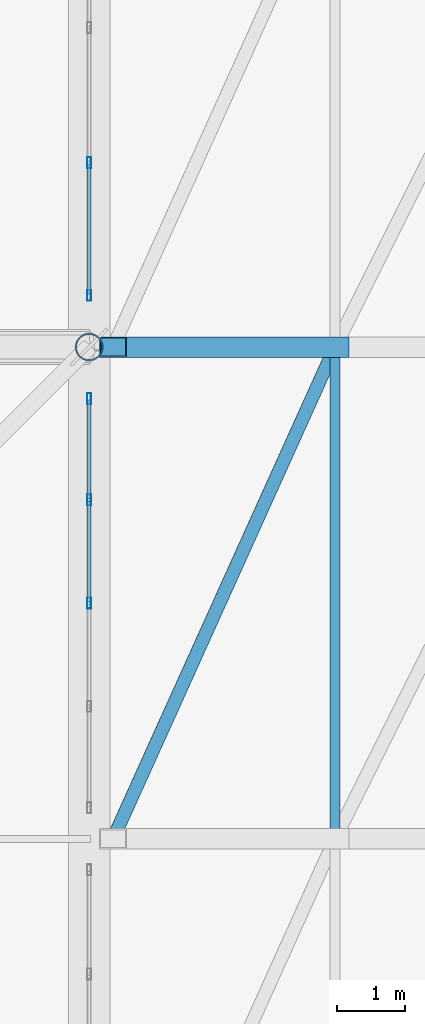
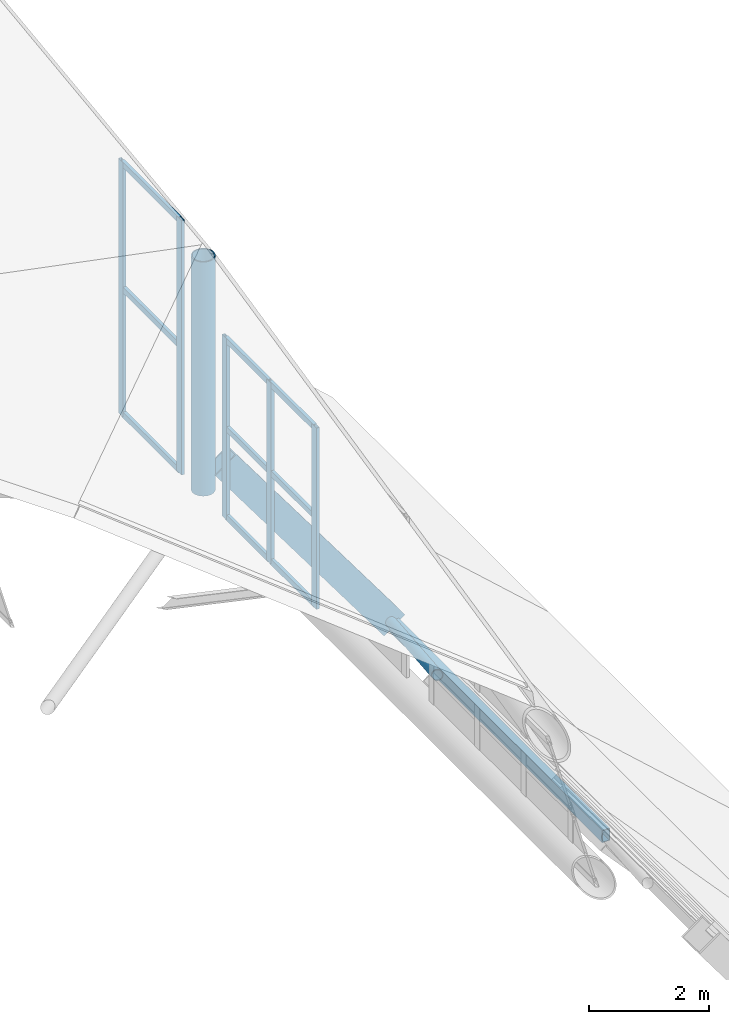
# One storey, part 130 of 397: 17 members, 1 beam, 2 elements without a shape of their own.
"""IFC4 building model written with IfcOpenShell, lengths in metres."""

from ifc_helpers import new_model, si_unit, direction, frame, origin, origin_2d, place, context, subcontext, project, spatial, hollow_rectangle, hollow_circle, extrude, material, material_profile, profile_set, type_object, element, aggregate, save


model = new_model("IFC4")

# Units and contexts
model_context = context("Model", 3, precision=1e-05, world=origin(), true_north=direction((0.0, 1.0)))
body_context = subcontext(model_context, "Body", "Model", "MODEL_VIEW")
ifc_project = project(units=[si_unit("LENGTHUNIT", "METRE"), si_unit("AREAUNIT", "SQUARE_METRE"), si_unit("VOLUMEUNIT", "CUBIC_METRE"), si_unit("PLANEANGLEUNIT", "RADIAN"), si_unit("MASSUNIT", "GRAM", prefix="KILO")], contexts=[model_context])

# Site, building, storey
site_placement = place(None, origin())
site = spatial("IfcSite", under=ifc_project, at=site_placement, CompositionType="ELEMENT")
building_placement = place(site_placement, origin())
building = spatial("IfcBuilding", under=site, at=building_placement, Name="Qandorah Velis Arena", CompositionType="ELEMENT")
storey_placement = place(building_placement, frame((0.0, 0.0, 27.5)))
storey = spatial("IfcBuildingStorey", under=building, at=storey_placement, Name="RF", CompositionType="ELEMENT", Elevation=27.5)

# Curtain wall, members
ifc_material_1 = material(Name="Solar-control low-E double glazing", Category="glass")
curtain_wall_type = type_object("IfcCurtainWallType", Name="ARC-CW-SYS10", PredefinedType="USERDEFINED", material=ifc_material_1)
curtain_wall_1_placement = place(storey_placement, origin())
curtain_wall_1 = element("IfcCurtainWall", 1, at=curtain_wall_1_placement, inside=storey, type_object=curtain_wall_type, Name="Unitised curtain wall CROWN-2-01S2", ObjectType="UNITISED CURTAIN WALL", PredefinedType="USERDEFINED")
ifc_material_2 = material(Name="Champagne-bronze anodized aluminium 6063-T6", Category="aluminium")
ifc_material_profile_1 = material_profile(ifc_material_2, hollow_rectangle(XDim=0.06005859375, YDim=0.159912109375, WallThickness=0.00341796875, at=origin_2d()), Name="ALU MULLION 60x160")
ifc_profile_set_1 = profile_set([ifc_material_profile_1], Name="Champagne-bronze anodized aluminium 6063-T6")
member_type_1 = type_object("IfcMemberType", Name="ARC-CWM-160", PredefinedType="MULLION", material=ifc_profile_set_1)
member_1_placement = place(storey_placement, frame((115.199951171875, 25.050048828125, -0.014892578125), z_axis=(0.0, 0.0, 1.0), x_axis=(-1.0, 0.0, 0.0)))
member_1 = element("IfcMember", 2, at=member_1_placement, type_object=member_type_1, Name="CW10 mullion 3", PredefinedType="MULLION", context=body_context, shape_type="SweptSolid", body=[
    extrude(hollow_rectangle(XDim=0.06005859375, YDim=0.159912109375, WallThickness=0.00341796875, at=origin_2d()), origin(), (0.0, 0.0, 1.0), 3.6904296875),
])
member_2_placement = place(storey_placement, frame((115.199951171875, 26.5625, -0.014892578125), z_axis=(0.0, 0.0, 1.0), x_axis=(-1.0, 0.0, 0.0)))
member_2 = element("IfcMember", 3, at=member_2_placement, type_object=member_type_1, Name="CW10 mullion 4", PredefinedType="MULLION", context=body_context, shape_type="SweptSolid", body=[
    extrude(hollow_rectangle(XDim=0.06005859375, YDim=0.159912109375, WallThickness=0.00341796875, at=origin_2d()), origin(), (0.0, 0.0, 1.0), 3.6904296875),
])
member_3_placement = place(storey_placement, frame((115.199951171875, 28.044921875, -0.014892578125), z_axis=(0.0, 0.0, 1.0), x_axis=(-1.0, 0.0, 0.0)))
member_3 = element("IfcMember", 4, at=member_3_placement, type_object=member_type_1, Name="CW10 mullion 5", PredefinedType="MULLION", context=body_context, shape_type="SweptSolid", body=[
    extrude(hollow_rectangle(XDim=0.06005859375, YDim=0.159912109375, WallThickness=0.00341796875, at=origin_2d()), origin(), (0.0, 0.0, 1.0), 3.6904296875),
])

curtain_wall_2_placement = place(storey_placement, origin())
curtain_wall_2 = element("IfcCurtainWall", 5, at=curtain_wall_2_placement, inside=storey, type_object=curtain_wall_type, Name="Unitised curtain wall CROWN-2-02S1", ObjectType="UNITISED CURTAIN WALL", PredefinedType="USERDEFINED")
member_4_placement = place(storey_placement, frame((115.199951171875, 29.554931640625, -0.014892578125), z_axis=(0.0, 0.0, 1.0), x_axis=(-1.0, 0.0, 0.0)))
member_4 = element("IfcMember", 6, at=member_4_placement, type_object=member_type_1, Name="CW10 mullion 1", PredefinedType="MULLION", context=body_context, shape_type="SweptSolid", body=[
    extrude(hollow_rectangle(XDim=0.06005859375, YDim=0.159912109375, WallThickness=0.00341796875, at=origin_2d()), origin(), (0.0, 0.0, 1.0), 5.180908203125),
])
member_5_placement = place(storey_placement, frame((115.199951171875, 31.5, -0.014892578125), z_axis=(0.0, 0.0, 1.0), x_axis=(-1.0, 0.0, 0.0)))
member_5 = element("IfcMember", 7, at=member_5_placement, type_object=member_type_1, Name="CW10 mullion 2", PredefinedType="MULLION", context=body_context, shape_type="SweptSolid", body=[
    extrude(hollow_rectangle(XDim=0.06005859375, YDim=0.159912109375, WallThickness=0.00341796875, at=origin_2d()), origin(), (0.0, 0.0, 1.0), 5.180908203125),
])

# Member
ifc_material_profile_2 = material_profile(ifc_material_2, hollow_rectangle(XDim=0.06005859375, YDim=0.1201171875, WallThickness=0.0029296875, at=origin_2d()), Name="ALU TRANSOM 60x120")
ifc_profile_set_2 = profile_set([ifc_material_profile_2], Name="Champagne-bronze anodized aluminium 6063-T6")
member_type_2 = type_object("IfcMemberType", Name="ARC-CWT-120", PredefinedType="USERDEFINED", material=ifc_profile_set_2)
member_6_placement = place(storey_placement, frame((115.199951171875, 25.068115234375, 0.030029296875), z_axis=(0.0, 1.0, 0.0), x_axis=(-1.0, 0.0, 0.0)))
member_6 = element("IfcMember", 8, at=member_6_placement, type_object=member_type_2, Name="CW10 transom 3.1", ObjectType="TRANSOM", PredefinedType="USERDEFINED", context=body_context, shape_type="SweptSolid", body=[
    extrude(hollow_rectangle(XDim=0.06005859375, YDim=0.1201171875, WallThickness=0.0029296875, at=origin_2d()), origin(), (0.0, 0.0, 1.0), 1.476318359375),
])

member_7_placement = place(storey_placement, frame((115.199951171875, 25.068115234375, 1.830078125), z_axis=(0.0, 1.0, 0.0), x_axis=(-1.0, 0.0, 0.0)))
member_7 = element("IfcMember", 9, at=member_7_placement, type_object=member_type_2, Name="CW10 transom 3.2", ObjectType="TRANSOM", PredefinedType="USERDEFINED", context=body_context, shape_type="SweptSolid", body=[
    extrude(hollow_rectangle(XDim=0.06005859375, YDim=0.1201171875, WallThickness=0.0029296875, at=origin_2d()), origin(), (0.0, 0.0, 1.0), 1.476318359375),
])

member_8_placement = place(storey_placement, frame((115.199951171875, 25.068115234375, 3.630615234375), z_axis=(0.0, 1.0, 0.0), x_axis=(-1.0, 0.0, 0.0)))
member_8 = element("IfcMember", 10, at=member_8_placement, type_object=member_type_2, Name="CW10 transom 3.3", ObjectType="TRANSOM", PredefinedType="USERDEFINED", context=body_context, shape_type="SweptSolid", body=[
    extrude(hollow_rectangle(XDim=0.06005859375, YDim=0.1201171875, WallThickness=0.0029296875, at=origin_2d()), origin(), (0.0, 0.0, 1.0), 1.476318359375),
])

member_9_placement = place(storey_placement, frame((115.199951171875, 26.58056640625, 0.030029296875), z_axis=(0.0, 1.0, 0.0), x_axis=(-1.0, 0.0, 0.0)))
member_9 = element("IfcMember", 11, at=member_9_placement, type_object=member_type_2, Name="CW10 transom 4.1", ObjectType="TRANSOM", PredefinedType="USERDEFINED", context=body_context, shape_type="SweptSolid", body=[
    extrude(hollow_rectangle(XDim=0.06005859375, YDim=0.1201171875, WallThickness=0.0029296875, at=origin_2d()), origin(), (0.0, 0.0, 1.0), 1.446533203125),
])

member_10_placement = place(storey_placement, frame((115.199951171875, 26.58056640625, 1.830078125), z_axis=(0.0, 1.0, 0.0), x_axis=(-1.0, 0.0, 0.0)))
member_10 = element("IfcMember", 12, at=member_10_placement, type_object=member_type_2, Name="CW10 transom 4.2", ObjectType="TRANSOM", PredefinedType="USERDEFINED", context=body_context, shape_type="SweptSolid", body=[
    extrude(hollow_rectangle(XDim=0.06005859375, YDim=0.1201171875, WallThickness=0.0029296875, at=origin_2d()), origin(), (0.0, 0.0, 1.0), 1.446533203125),
])

member_11_placement = place(storey_placement, frame((115.199951171875, 26.58056640625, 3.630615234375), z_axis=(0.0, 1.0, 0.0), x_axis=(-1.0, 0.0, 0.0)))
member_11 = element("IfcMember", 13, at=member_11_placement, type_object=member_type_2, Name="CW10 transom 4.3", ObjectType="TRANSOM", PredefinedType="USERDEFINED", context=body_context, shape_type="SweptSolid", body=[
    extrude(hollow_rectangle(XDim=0.06005859375, YDim=0.1201171875, WallThickness=0.0029296875, at=origin_2d()), origin(), (0.0, 0.0, 1.0), 1.446533203125),
])

aggregate(curtain_wall_1, [member_1, member_2, member_3, member_6, member_7, member_8, member_9, member_10, member_11])

member_12_placement = place(storey_placement, frame((115.199951171875, 29.572998046875, 0.030029296875), z_axis=(0.0, 1.0, 0.0), x_axis=(-1.0, 0.0, 0.0)))
member_12 = element("IfcMember", 14, at=member_12_placement, type_object=member_type_2, Name="CW10 transom 1.1", ObjectType="TRANSOM", PredefinedType="USERDEFINED", context=body_context, shape_type="SweptSolid", body=[
    extrude(hollow_rectangle(XDim=0.06005859375, YDim=0.1201171875, WallThickness=0.0029296875, at=origin_2d()), origin(), (0.0, 0.0, 1.0), 1.908935546875),
])

member_13_placement = place(storey_placement, frame((115.199951171875, 29.572998046875, 2.575439453125), z_axis=(0.0, 1.0, 0.0), x_axis=(-1.0, 0.0, 0.0)))
member_13 = element("IfcMember", 15, at=member_13_placement, type_object=member_type_2, Name="CW10 transom 1.2", ObjectType="TRANSOM", PredefinedType="USERDEFINED", context=body_context, shape_type="SweptSolid", body=[
    extrude(hollow_rectangle(XDim=0.06005859375, YDim=0.1201171875, WallThickness=0.0029296875, at=origin_2d()), origin(), (0.0, 0.0, 1.0), 1.908935546875),
])

member_14_placement = place(storey_placement, frame((115.199951171875, 29.572998046875, 5.12109375), z_axis=(0.0, 1.0, 0.0), x_axis=(-1.0, 0.0, 0.0)))
member_14 = element("IfcMember", 16, at=member_14_placement, type_object=member_type_2, Name="CW10 transom 1.3", ObjectType="TRANSOM", PredefinedType="USERDEFINED", context=body_context, shape_type="SweptSolid", body=[
    extrude(hollow_rectangle(XDim=0.06005859375, YDim=0.1201171875, WallThickness=0.0029296875, at=origin_2d()), origin(), (0.0, 0.0, 1.0), 1.908935546875),
])

aggregate(curtain_wall_2, [member_4, member_5, member_12, member_13, member_14])

# Beam
ifc_material_3 = material(Name="Steel S355", Category="steel")
ifc_material_profile_3 = material_profile(ifc_material_3, hollow_rectangle(XDim=0.300048828125, YDim=0.5, WallThickness=0.02001953125, at=origin_2d()), Name="RHS 500x300x20")
ifc_profile_set_3 = profile_set([ifc_material_profile_3], Name="Steel S355")
beam_type = type_object("IfcBeamType", Name="STR-CRB-RHS500", PredefinedType="USERDEFINED", material=ifc_profile_set_3)
beam_placement = place(storey_placement, frame((115.550048828125, 28.800048828125, 0.562744140625), z_axis=(0.593780108207, 0.0, -0.804627356667), x_axis=(0.0, 1.0, 0.0)))
element("IfcBeam", 17, at=beam_placement, inside=storey, type_object=beam_type, Name="Sweeping canopy rib CRB-3.01", ObjectType="ROOF TRUSS", PredefinedType="USERDEFINED", context=body_context, shape_type="SweptSolid", body=[
    extrude(hollow_rectangle(XDim=0.300048828125, YDim=0.5, WallThickness=0.02001953125, at=origin_2d()), origin(), (0.0, 0.0, 1.0), 5.473388671875),
])

# Members
ifc_material_profile_4 = material_profile(ifc_material_3, hollow_rectangle(XDim=0.14990234375, YDim=0.25, WallThickness=0.010009765625, at=origin_2d()), Name="RHS 250x150x10")
ifc_profile_set_4 = profile_set([ifc_material_profile_4], Name="Steel S355")
member_type_3 = type_object("IfcMemberType", Name="STR-PRL-RHS250", PredefinedType="PURLIN", material=ifc_profile_set_4)
member_15_placement = place(storey_placement, frame((118.800048828125, 21.60009765625, -3.84130859375), z_axis=(0.0, 1.0, 0.0), x_axis=(-1.0, 0.0, 0.0)))
element("IfcMember", 18, at=member_15_placement, inside=storey, type_object=member_type_3, Name="Canopy cross purlin CPR-2.01", PredefinedType="PURLIN", context=body_context, shape_type="SweptSolid", body=[
    extrude(hollow_rectangle(XDim=0.14990234375, YDim=0.25, WallThickness=0.010009765625, at=origin_2d()), origin(), (0.0, 0.0, 1.0), 7.199951171875),
])
ifc_material_profile_5 = material_profile(ifc_material_3, hollow_circle(Radius=0.096923828125, WallThickness=0.010009765625, at=origin_2d()), Name="CHS 193.7x10")
ifc_profile_set_5 = profile_set([ifc_material_profile_5], Name="Steel S355")
member_type_4 = type_object("IfcMemberType", Name="STR-SFD-CHS193X10", PredefinedType="STRUT", material=ifc_profile_set_5)
member_16_placement = place(storey_placement, frame((115.550048828125, 21.60009765625, 0.562744140625), z_axis=(0.359346488943, 0.796085284361, -0.486947965298), x_axis=(-0.911446126147, 0.41141944428, 0.0)))
element("IfcMember", 19, at=member_16_placement, inside=storey, type_object=member_type_4, Name="Canopy roof plane diagonal CDG-2.01", PredefinedType="STRUT", context=body_context, shape_type="SweptSolid", body=[
    extrude(hollow_circle(Radius=0.096923828125, WallThickness=0.010009765625, at=origin_2d()), origin(), (0.0, 0.0, 1.0), 9.044189453125),
])
ifc_material_4 = material(Name="Steel S460", Category="steel")
ifc_material_profile_6 = material_profile(ifc_material_4, hollow_circle(Radius=0.203125, WallThickness=0.02001953125, at=origin_2d()), Name="CHS 406.4x20")
ifc_profile_set_6 = profile_set([ifc_material_profile_6], Name="Steel S460")
member_type_5 = type_object("IfcMemberType", Name="STR-SFD-CHS406X20", PredefinedType="STRUT", material=ifc_profile_set_6)
member_17_placement = place(storey_placement, frame((115.199951171875, 28.800048828125, 0.10009765625), z_axis=(0.0, 0.0, 1.0), x_axis=(1.0, 0.0, 0.0)))
element("IfcMember", 20, at=member_17_placement, inside=storey, type_object=member_type_5, Name="Space frame roof vertical post 7.1", PredefinedType="STRUT", context=body_context, shape_type="SweptSolid", body=[
    extrude(hollow_circle(Radius=0.203125, WallThickness=0.02001953125, at=origin_2d()), origin(), (0.0, 0.0, 1.0), 4.768310546875),
])

save(model, "model.ifc")
